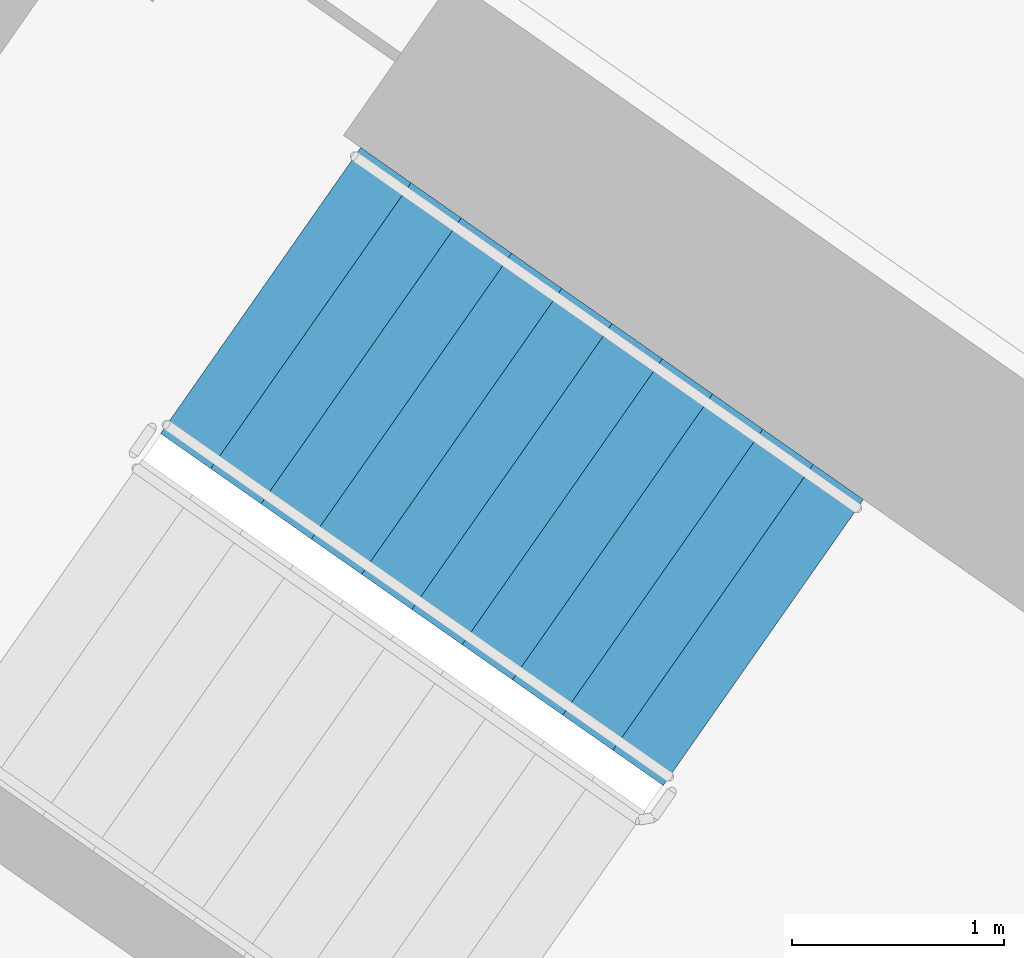
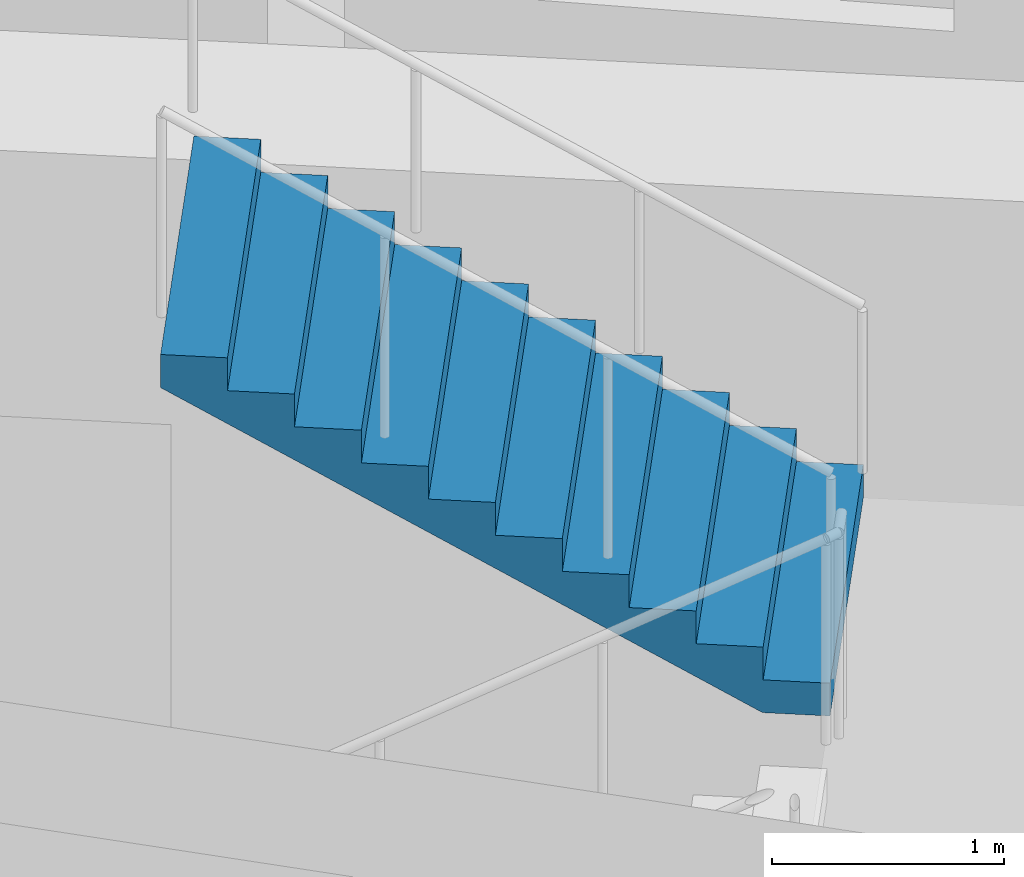
# One storey, part 13 of 31: 1 stair flight, 1 element without a shape of its own.
"""IFC4 building model written with IfcOpenShell, lengths in metres."""

import ifcopenshell
import ifcopenshell.guid

model = None  # the IFC model being written
_history = None  # IfcOwnerHistory: only IFC2X3 demands one
_inside = {}  # id of a spatial element -> (the spatial element, [elements in it])
_under = {}  # id of a project, library or spatial element -> (it, [spatial elements below it])
_declared = {}  # id of a project -> (the project, [libraries it declares])
_typed = {}  # id of a type object -> (the type object, [elements of that type])
_made_of = {}  # id of a material, layer set ... -> (it, [elements and type objects made of it])


def new_model(schema):
    """Start an empty IFC model of exactly this schema.

    Asked for "IFC4X3", IfcOpenShell would pick the latest addendum, in which some entities
    have other attributes; the version numbers below select the first issue.
    IFC2X3 requires an IfcOwnerHistory on every rooted entity: one is made here for all.
    """
    global model, _history
    if schema == "IFC4X3":
        model = ifcopenshell.file(schema_version=(4, 3, 0, 0))
    else:
        model = ifcopenshell.file(schema=schema)
    _inside.clear()
    _under.clear()
    _declared.clear()
    _typed.clear()
    _made_of.clear()
    _history = None
    if model.schema == "IFC2X3":
        org = make("IfcOrganization", Name="unknown")
        user = make(
            "IfcPersonAndOrganization",
            ThePerson=make("IfcPerson", FamilyName="unknown"),
            TheOrganization=org,
        )
        app = make(
            "IfcApplication",
            ApplicationDeveloper=org,
            Version="unknown",
            ApplicationFullName="unknown",
            ApplicationIdentifier="unknown",
        )
        _history = make(
            "IfcOwnerHistory",
            OwningUser=user,
            OwningApplication=app,
            ChangeAction="ADDED",
            CreationDate=0,
        )
    return model


def make(cls, **values):
    """One entity of the class cls with the attributes given. An attribute that is None is left unset."""
    return model.create_entity(
        cls, **{name: value for name, value in values.items() if value is not None}
    )


def rooted(cls, **values):
    """An entity with a GlobalId (a new one), such as an element, a storey or a relation."""
    return make(cls, GlobalId=ifcopenshell.guid.new(), OwnerHistory=_history, **values)


def si_unit(unit_type, name, prefix=None):
    """IfcSIUnit, for example si_unit("LENGTHUNIT", "METRE", prefix="MILLI")."""
    return make("IfcSIUnit", UnitType=unit_type, Prefix=prefix, Name=name)


def assignment(units):
    """IfcUnitAssignment: the units of a project."""
    return None if units is None else make("IfcUnitAssignment", Units=units)


def point(xyz):
    """IfcCartesianPoint."""
    return None if xyz is None else make("IfcCartesianPoint", Coordinates=xyz)


def direction(xyz):
    """IfcDirection."""
    return None if xyz is None else make("IfcDirection", DirectionRatios=xyz)


def frame(location, z_axis=None, x_axis=None):
    """IfcAxis2Placement3D, a coordinate frame: its origin and axes. An axis left out is left unset."""
    return make(
        "IfcAxis2Placement3D",
        Location=point(location),
        Axis=direction(z_axis),
        RefDirection=direction(x_axis),
    )


def origin():
    """The frame at (0, 0, 0) with its axes left unset."""
    return frame((0.0, 0.0, 0.0))


def place(relative_to, where):
    """IfcLocalPlacement: puts the frame where relative to a parent placement (None: the world)."""
    return make(
        "IfcLocalPlacement", PlacementRelTo=relative_to, RelativePlacement=where
    )


def context(
    kind, dimensions, precision=None, world=None, true_north=None, identifier=None
):
    """IfcGeometricRepresentationContext, for example the 3D "Model" context."""
    return make(
        "IfcGeometricRepresentationContext",
        ContextIdentifier=identifier,
        ContextType=kind,
        CoordinateSpaceDimension=dimensions,
        Precision=precision,
        WorldCoordinateSystem=world,
        TrueNorth=true_north,
    )


def subcontext(parent, identifier, kind, view, scale=None):
    """IfcGeometricRepresentationSubContext, for example "Body" below "Model"."""
    return make(
        "IfcGeometricRepresentationSubContext",
        ContextIdentifier=identifier,
        ContextType=kind,
        ParentContext=parent,
        TargetScale=scale,
        TargetView=view,
    )


def project(units=None, contexts=None):
    """IfcProject with its units and contexts."""
    return rooted(
        "IfcProject",
        Name="project",
        RepresentationContexts=contexts,
        UnitsInContext=assignment(units),
    )


def spatial(cls, under=None, at=None, **own):
    """A site, building, storey or space (cls), placed at a placement, below another one or the project."""
    s = rooted(cls, ObjectPlacement=at, **own)
    if under is not None:
        _under.setdefault(under.id(), (under, []))[1].append(s)
    return s


def faces_of(points, faces, orient=None, outer=None):
    """IfcFace entities. A face is a list of loops; a loop is a list of indices into points, from 0.

    orient and outer hold one flag for each loop. By default every Orientation is true, the
    first loop of a face is its IfcFaceOuterBound and the others are IfcFaceBound.
    """
    made = []
    for i, loops in enumerate(faces):
        bounds = []
        for j, loop in enumerate(loops):
            is_outer = j == 0 if outer is None else outer[i][j]
            bounds.append(
                make(
                    "IfcFaceOuterBound" if is_outer else "IfcFaceBound",
                    Bound=make("IfcPolyLoop", Polygon=[points[k] for k in loop]),
                    Orientation=True if orient is None else orient[i][j],
                )
            )
        made.append(make("IfcFace", Bounds=bounds))
    return made


def faceted_brep(points, faces, orient=None, outer=None, voids=None):
    """IfcFacetedBrep: a solid bounded by flat faces; with voids (closed shells), ...WithVoids."""
    shared = [point(p) for p in points]
    hull = make("IfcClosedShell", CfsFaces=faces_of(shared, faces, orient, outer))
    if voids is None:
        return make("IfcFacetedBrep", Outer=hull)
    return make(
        "IfcFacetedBrepWithVoids",
        Outer=hull,
        Voids=[
            make(cls, CfsFaces=faces_of(shared, fs, o, b)) for cls, fs, o, b in voids
        ],
    )


def shape(context_of_items, identifier, shape_type, items):
    """IfcShapeRepresentation: the items that make up one representation, for example the "Body"."""
    return make(
        "IfcShapeRepresentation",
        ContextOfItems=context_of_items,
        RepresentationIdentifier=identifier,
        RepresentationType=shape_type,
        Items=items,
    )


def material(Name=None, Category=None):
    """IfcMaterial."""
    return make("IfcMaterial", Name=Name, Category=Category)


def made_of(thing, what):
    """Note that an element or type object is made of a material, layer set ...; save() writes the relation."""
    if what is not None:
        _made_of.setdefault(what.id(), (what, []))[1].append(thing)
    return thing


def type_object(cls, material=None, **own):
    """A type object (cls), such as IfcWallType, which elements share."""
    return made_of(rooted(cls, **own), material)


def element(
    cls,
    number,
    at=None,
    inside=None,
    cuts=None,
    type_object=None,
    material=None,
    context=None,
    identifier="Body",
    shape_type=None,
    held_by="IfcProductDefinitionShape",
    body=None,
    shapes=None,
    **own,
):
    """One element of the class cls, such as IfcWall. Its Tag is "e" and its number.

    at: its placement. inside: the storey or other place that contains it. cuts: it is an
    opening in that element (IfcRelVoidsElement). A single representation is given by context,
    identifier, shape_type and body (its items); several are given by shapes. held_by: the class
    of the entity that holds the representations. save() writes the other relations.
    """
    e = rooted(cls, Tag="e%d" % number, ObjectPlacement=at, **own)
    if body is not None:
        shapes = [shape(context, identifier, shape_type, body)]
    if shapes is not None:
        e.Representation = make(held_by, Representations=shapes)
    if inside is not None:
        _inside.setdefault(inside.id(), (inside, []))[1].append(e)
    if cuts is not None:
        rooted(
            "IfcRelVoidsElement", RelatingBuildingElement=cuts, RelatedOpeningElement=e
        )
    if type_object is not None:
        _typed.setdefault(type_object.id(), (type_object, []))[1].append(e)
    return made_of(e, material)


def aggregate(whole, parts):
    """IfcRelAggregates: a whole, such as a stair, and the parts it consists of."""
    return rooted("IfcRelAggregates", RelatingObject=whole, RelatedObjects=parts)


def save(model, path):
    """Write the relations noted so far, then the file.

    IfcRelAggregates (storeys below a building ...), IfcRelContainedInSpatialStructure (elements
    in a storey), IfcRelDefinesByType, IfcRelAssociatesMaterial and IfcRelDeclares: one each for
    every whole, place, type object, material and project.
    """
    for whole, parts in _under.values():
        aggregate(whole, parts)
    for where, things in _inside.values():
        rooted(
            "IfcRelContainedInSpatialStructure",
            RelatedElements=things,
            RelatingStructure=where,
        )
    for kind, things in _typed.values():
        rooted("IfcRelDefinesByType", RelatedObjects=things, RelatingType=kind)
    for what, things in _made_of.values():
        rooted("IfcRelAssociatesMaterial", RelatedObjects=things, RelatingMaterial=what)
    for by, libraries in _declared.values():
        rooted("IfcRelDeclares", RelatingContext=by, RelatedDefinitions=libraries)
    model.write(path)


model = new_model("IFC4")

# Units and contexts
model_context = context("Model", 3, precision=1e-05, world=origin(), true_north=direction((0.0, 1.0)))
body_context = subcontext(model_context, "Body", "Model", "MODEL_VIEW")
ifc_project = project(units=[si_unit("LENGTHUNIT", "METRE"), si_unit("AREAUNIT", "SQUARE_METRE"), si_unit("VOLUMEUNIT", "CUBIC_METRE"), si_unit("PLANEANGLEUNIT", "RADIAN"), si_unit("MASSUNIT", "GRAM", prefix="KILO")], contexts=[model_context])

# Site, building, storey
site_placement = place(None, origin())
site = spatial("IfcSite", under=ifc_project, at=site_placement, CompositionType="ELEMENT")
building_placement = place(site_placement, origin())
building = spatial("IfcBuilding", under=site, at=building_placement, Name="Qamariyya Broadcast Tower", CompositionType="ELEMENT")
storey_placement = place(building_placement, frame((0.0, 0.0, 82.300048828125)))
storey = spatial("IfcBuildingStorey", under=building, at=storey_placement, Name="L17", CompositionType="ELEMENT", Elevation=82.300048828125)

# Stair, stair flight
ifc_material = material(Name="Concrete C50/60", Category="concrete")
stair_type = type_object("IfcStairType", Name="Exit stair 22 risers of 173 mm", PredefinedType="HALF_TURN_STAIR", material=ifc_material)
stair_placement = place(storey_placement, origin())
stair = element("IfcStair", 1, at=stair_placement, inside=storey, type_object=stair_type, Name="L17 Stair W2", PredefinedType="HALF_TURN_STAIR")
stair_flight_type = type_object("IfcStairFlightType", Name="Exit stair flight 11 risers of 173 mm", PredefinedType="STRAIGHT", material=ifc_material)
stair_flight_placement = place(storey_placement, frame((-38.18310546875, -49.3486328125, 1.89990234375), z_axis=(0.0, 0.0, 1.0), x_axis=(-0.819152044289, 0.573576436351, 0.0)))
stair_flight = element("IfcStairFlight", 2, at=stair_flight_placement, type_object=stair_flight_type, Name="ST-W2 flight 2", NumberOfRisers=11, NumberOfTreads=10, PredefinedType="STRAIGHT", RiserHeight=0.172727273, TreadLength=0.29, context=body_context, shape_type="Brep", body=[
    faceted_brep([(0.0, 0.824951171875, 0.0), (0.0, 0.824951171875, 0.172607421875), (0.2900390625, 0.824951171875, 0.172607421875), (0.2900390625, 0.824951171875, 0.345458984375), (0.580078125, 0.824951171875, 0.345458984375), (0.580078125, 0.824951171875, 0.51806640625), (0.8701171875, 0.824951171875, 0.51806640625), (0.8701171875, 0.824951171875, 0.69091796875), (1.159912109375, 0.824951171875, 0.69091796875), (1.159912109375, 0.824951171875, 0.863525390625), (1.449951171875, 0.824951171875, 0.863525390625), (1.449951171875, 0.824951171875, 1.036376953125), (1.739990234375, 0.824951171875, 1.036376953125), (1.739990234375, 0.824951171875, 1.208984375), (2.030029296875, 0.824951171875, 1.208984375), (2.030029296875, 0.824951171875, 1.3818359375), (2.320068359375, 0.824951171875, 1.3818359375), (2.320068359375, 0.824951171875, 1.554443359375), (2.610107421875, 0.824951171875, 1.554443359375), (2.610107421875, 0.824951171875, 1.727294921875), (2.89990234375, 0.824951171875, 1.727294921875), (2.89990234375, 0.824951171875, 1.552734375), (0.29296875, 0.824951171875, 0.0), (0.29296875, -0.824951171875, 0.0), (2.89990234375, -0.824951171875, 1.552734375), (2.89990234375, -0.824951171875, 1.727294921875), (2.610107421875, -0.824951171875, 1.727294921875), (2.610107421875, -0.824951171875, 1.554443359375), (2.320068359375, -0.824951171875, 1.554443359375), (2.320068359375, -0.824951171875, 1.3818359375), (2.030029296875, -0.824951171875, 1.3818359375), (2.030029296875, -0.824951171875, 1.208984375), (1.739990234375, -0.824951171875, 1.208984375), (1.739990234375, -0.824951171875, 1.036376953125), (1.449951171875, -0.824951171875, 1.036376953125), (1.449951171875, -0.824951171875, 0.863525390625), (1.159912109375, -0.824951171875, 0.863525390625), (1.159912109375, -0.824951171875, 0.69091796875), (0.8701171875, -0.824951171875, 0.69091796875), (0.8701171875, -0.824951171875, 0.51806640625), (0.580078125, -0.824951171875, 0.51806640625), (0.580078125, -0.824951171875, 0.345458984375), (0.2900390625, -0.824951171875, 0.345458984375), (0.2900390625, -0.824951171875, 0.172607421875), (0.0, -0.824951171875, 0.172607421875), (0.0, -0.824951171875, 0.0), (0.0, 0.10009765625, 0.0), (0.0, 0.086669921875, 0.0), (0.0, 0.0732421875, 0.0), (0.0, 0.06005859375, 0.0), (0.0, 0.046630859375, 0.0), (0.0, 0.033447265625, 0.0), (0.0, 0.02001953125, 0.0), (0.0, 0.006591796875, 0.0), (0.0, -0.006591796875, 0.0), (0.0, -0.02001953125, 0.0), (0.0, -0.033447265625, 0.0), (0.0, -0.046630859375, 0.0), (0.0, -0.06005859375, 0.0), (0.0, -0.0732421875, 0.0), (0.0, -0.086669921875, 0.0), (0.0, -0.10009765625, 0.0), (0.0, -0.10009765625, 0.172607421875), (0.0, -0.086669921875, 0.172607421875), (0.0, -0.0732421875, 0.172607421875), (0.0, -0.06005859375, 0.172607421875), (0.0, -0.046630859375, 0.172607421875), (0.0, -0.033447265625, 0.172607421875), (0.0, -0.02001953125, 0.172607421875), (0.0, -0.006591796875, 0.172607421875), (0.0, 0.006591796875, 0.172607421875), (0.0, 0.02001953125, 0.172607421875), (0.0, 0.033447265625, 0.172607421875), (0.0, 0.046630859375, 0.172607421875), (0.0, 0.06005859375, 0.172607421875), (0.0, 0.0732421875, 0.172607421875), (0.0, 0.086669921875, 0.172607421875), (0.0, 0.10009765625, 0.172607421875), (0.2900390625, -0.10009765625, 0.172607421875), (0.2900390625, -0.086669921875, 0.172607421875), (0.2900390625, -0.0732421875, 0.172607421875), (0.2900390625, -0.06005859375, 0.172607421875), (0.2900390625, -0.046630859375, 0.172607421875), (0.2900390625, -0.033447265625, 0.172607421875), (0.2900390625, -0.02001953125, 0.172607421875), (0.2900390625, -0.006591796875, 0.172607421875), (0.2900390625, 0.006591796875, 0.172607421875), (0.2900390625, 0.02001953125, 0.172607421875), (0.2900390625, 0.033447265625, 0.172607421875), (0.2900390625, 0.046630859375, 0.172607421875), (0.2900390625, 0.06005859375, 0.172607421875), (0.2900390625, 0.0732421875, 0.172607421875), (0.2900390625, 0.086669921875, 0.172607421875), (0.2900390625, 0.10009765625, 0.172607421875), (0.2900390625, -0.10009765625, 0.345458984375), (0.2900390625, -0.086669921875, 0.345458984375), (0.2900390625, -0.0732421875, 0.345458984375), (0.2900390625, -0.06005859375, 0.345458984375), (0.2900390625, -0.046630859375, 0.345458984375), (0.2900390625, -0.033447265625, 0.345458984375), (0.2900390625, -0.02001953125, 0.345458984375), (0.2900390625, -0.006591796875, 0.345458984375), (0.2900390625, 0.006591796875, 0.345458984375), (0.2900390625, 0.02001953125, 0.345458984375), (0.2900390625, 0.033447265625, 0.345458984375), (0.2900390625, 0.046630859375, 0.345458984375), (0.2900390625, 0.06005859375, 0.345458984375), (0.2900390625, 0.0732421875, 0.345458984375), (0.2900390625, 0.086669921875, 0.345458984375), (0.2900390625, 0.10009765625, 0.345458984375), (0.580078125, -0.10009765625, 0.345458984375), (0.580078125, -0.086669921875, 0.345458984375), (0.580078125, -0.0732421875, 0.345458984375), (0.580078125, -0.06005859375, 0.345458984375), (0.580078125, -0.046630859375, 0.345458984375), (0.580078125, -0.033447265625, 0.345458984375), (0.580078125, -0.02001953125, 0.345458984375), (0.580078125, -0.006591796875, 0.345458984375), (0.580078125, 0.006591796875, 0.345458984375), (0.580078125, 0.02001953125, 0.345458984375), (0.580078125, 0.033447265625, 0.345458984375), (0.580078125, 0.046630859375, 0.345458984375), (0.580078125, 0.06005859375, 0.345458984375), (0.580078125, 0.0732421875, 0.345458984375), (0.580078125, 0.086669921875, 0.345458984375), (0.580078125, 0.10009765625, 0.345458984375), (0.580078125, -0.10009765625, 0.51806640625), (0.580078125, -0.086669921875, 0.51806640625), (0.580078125, -0.0732421875, 0.51806640625), (0.580078125, -0.06005859375, 0.51806640625), (0.580078125, -0.046630859375, 0.51806640625), (0.580078125, -0.033447265625, 0.51806640625), (0.580078125, -0.02001953125, 0.51806640625), (0.580078125, -0.006591796875, 0.51806640625), (0.580078125, 0.006591796875, 0.51806640625), (0.580078125, 0.02001953125, 0.51806640625), (0.580078125, 0.033447265625, 0.51806640625), (0.580078125, 0.046630859375, 0.51806640625), (0.580078125, 0.06005859375, 0.51806640625), (0.580078125, 0.0732421875, 0.51806640625), (0.580078125, 0.086669921875, 0.51806640625), (0.580078125, 0.10009765625, 0.51806640625), (0.8701171875, -0.10009765625, 0.51806640625), (0.8701171875, -0.086669921875, 0.51806640625), (0.8701171875, -0.0732421875, 0.51806640625), (0.8701171875, -0.06005859375, 0.51806640625), (0.8701171875, -0.046630859375, 0.51806640625), (0.8701171875, -0.033447265625, 0.51806640625), (0.8701171875, -0.02001953125, 0.51806640625), (0.8701171875, -0.006591796875, 0.51806640625), (0.8701171875, 0.006591796875, 0.51806640625), (0.8701171875, 0.02001953125, 0.51806640625), (0.8701171875, 0.033447265625, 0.51806640625), (0.8701171875, 0.046630859375, 0.51806640625), (0.8701171875, 0.06005859375, 0.51806640625), (0.8701171875, 0.0732421875, 0.51806640625), (0.8701171875, 0.086669921875, 0.51806640625), (0.8701171875, 0.10009765625, 0.51806640625), (0.8701171875, -0.10009765625, 0.69091796875), (0.8701171875, -0.086669921875, 0.69091796875), (0.8701171875, -0.0732421875, 0.69091796875), (0.8701171875, -0.06005859375, 0.69091796875), (0.8701171875, -0.046630859375, 0.69091796875), (0.8701171875, -0.033447265625, 0.69091796875), (0.8701171875, -0.02001953125, 0.69091796875), (0.8701171875, -0.006591796875, 0.69091796875), (0.8701171875, 0.006591796875, 0.69091796875), (0.8701171875, 0.02001953125, 0.69091796875), (0.8701171875, 0.033447265625, 0.69091796875), (0.8701171875, 0.046630859375, 0.69091796875), (0.8701171875, 0.06005859375, 0.69091796875), (0.8701171875, 0.0732421875, 0.69091796875), (0.8701171875, 0.086669921875, 0.69091796875), (0.8701171875, 0.10009765625, 0.69091796875), (1.159912109375, -0.10009765625, 0.69091796875), (1.159912109375, -0.086669921875, 0.69091796875), (1.159912109375, -0.0732421875, 0.69091796875), (1.159912109375, -0.06005859375, 0.69091796875), (1.159912109375, -0.046630859375, 0.69091796875), (1.159912109375, -0.033447265625, 0.69091796875), (1.159912109375, -0.02001953125, 0.69091796875), (1.159912109375, -0.006591796875, 0.69091796875), (1.159912109375, 0.006591796875, 0.69091796875), (1.159912109375, 0.02001953125, 0.69091796875), (1.159912109375, 0.033447265625, 0.69091796875), (1.159912109375, 0.046630859375, 0.69091796875), (1.159912109375, 0.06005859375, 0.69091796875), (1.159912109375, 0.0732421875, 0.69091796875), (1.159912109375, 0.086669921875, 0.69091796875), (1.159912109375, 0.10009765625, 0.69091796875), (1.159912109375, -0.10009765625, 0.863525390625), (1.159912109375, -0.086669921875, 0.863525390625), (1.159912109375, -0.0732421875, 0.863525390625), (1.159912109375, -0.06005859375, 0.863525390625), (1.159912109375, -0.046630859375, 0.863525390625), (1.159912109375, -0.033447265625, 0.863525390625), (1.159912109375, -0.02001953125, 0.863525390625), (1.159912109375, -0.006591796875, 0.863525390625), (1.159912109375, 0.006591796875, 0.863525390625), (1.159912109375, 0.02001953125, 0.863525390625), (1.159912109375, 0.033447265625, 0.863525390625), (1.159912109375, 0.046630859375, 0.863525390625), (1.159912109375, 0.06005859375, 0.863525390625), (1.159912109375, 0.0732421875, 0.863525390625), (1.159912109375, 0.086669921875, 0.863525390625), (1.159912109375, 0.10009765625, 0.863525390625), (1.449951171875, -0.10009765625, 0.863525390625), (1.449951171875, -0.086669921875, 0.863525390625), (1.449951171875, -0.0732421875, 0.863525390625), (1.449951171875, -0.06005859375, 0.863525390625), (1.449951171875, -0.046630859375, 0.863525390625), (1.449951171875, -0.033447265625, 0.863525390625), (1.449951171875, -0.02001953125, 0.863525390625), (1.449951171875, -0.006591796875, 0.863525390625), (1.449951171875, 0.006591796875, 0.863525390625), (1.449951171875, 0.02001953125, 0.863525390625), (1.449951171875, 0.033447265625, 0.863525390625), (1.449951171875, 0.046630859375, 0.863525390625), (1.449951171875, 0.06005859375, 0.863525390625), (1.449951171875, 0.0732421875, 0.863525390625), (1.449951171875, 0.086669921875, 0.863525390625), (1.449951171875, 0.10009765625, 0.863525390625), (1.449951171875, -0.10009765625, 1.036376953125), (1.449951171875, -0.086669921875, 1.036376953125), (1.449951171875, -0.0732421875, 1.036376953125), (1.449951171875, -0.06005859375, 1.036376953125), (1.449951171875, -0.046630859375, 1.036376953125), (1.449951171875, -0.033447265625, 1.036376953125), (1.449951171875, -0.02001953125, 1.036376953125), (1.449951171875, -0.006591796875, 1.036376953125), (1.449951171875, 0.006591796875, 1.036376953125), (1.449951171875, 0.02001953125, 1.036376953125), (1.449951171875, 0.033447265625, 1.036376953125), (1.449951171875, 0.046630859375, 1.036376953125), (1.449951171875, 0.06005859375, 1.036376953125), (1.449951171875, 0.0732421875, 1.036376953125), (1.449951171875, 0.086669921875, 1.036376953125), (1.449951171875, 0.10009765625, 1.036376953125), (1.739990234375, -0.10009765625, 1.036376953125), (1.739990234375, -0.086669921875, 1.036376953125), (1.739990234375, -0.0732421875, 1.036376953125), (1.739990234375, -0.06005859375, 1.036376953125), (1.739990234375, -0.046630859375, 1.036376953125), (1.739990234375, -0.033447265625, 1.036376953125), (1.739990234375, -0.02001953125, 1.036376953125), (1.739990234375, -0.006591796875, 1.036376953125), (1.739990234375, 0.006591796875, 1.036376953125), (1.739990234375, 0.02001953125, 1.036376953125), (1.739990234375, 0.033447265625, 1.036376953125), (1.739990234375, 0.046630859375, 1.036376953125), (1.739990234375, 0.06005859375, 1.036376953125), (1.739990234375, 0.0732421875, 1.036376953125), (1.739990234375, 0.086669921875, 1.036376953125), (1.739990234375, 0.10009765625, 1.036376953125), (1.739990234375, -0.10009765625, 1.208984375), (1.739990234375, -0.086669921875, 1.208984375), (1.739990234375, -0.0732421875, 1.208984375), (1.739990234375, -0.06005859375, 1.208984375), (1.739990234375, -0.046630859375, 1.208984375), (1.739990234375, -0.033447265625, 1.208984375), (1.739990234375, -0.02001953125, 1.208984375), (1.739990234375, -0.006591796875, 1.208984375), (1.739990234375, 0.006591796875, 1.208984375), (1.739990234375, 0.02001953125, 1.208984375), (1.739990234375, 0.033447265625, 1.208984375), (1.739990234375, 0.046630859375, 1.208984375), (1.739990234375, 0.06005859375, 1.208984375), (1.739990234375, 0.0732421875, 1.208984375), (1.739990234375, 0.086669921875, 1.208984375), (1.739990234375, 0.10009765625, 1.208984375), (2.030029296875, -0.10009765625, 1.208984375), (2.030029296875, -0.086669921875, 1.208984375), (2.030029296875, -0.0732421875, 1.208984375), (2.030029296875, -0.06005859375, 1.208984375), (2.030029296875, -0.046630859375, 1.208984375), (2.030029296875, -0.033447265625, 1.208984375), (2.030029296875, -0.02001953125, 1.208984375), (2.030029296875, -0.006591796875, 1.208984375), (2.030029296875, 0.006591796875, 1.208984375), (2.030029296875, 0.02001953125, 1.208984375), (2.030029296875, 0.033447265625, 1.208984375), (2.030029296875, 0.046630859375, 1.208984375), (2.030029296875, 0.06005859375, 1.208984375), (2.030029296875, 0.0732421875, 1.208984375), (2.030029296875, 0.086669921875, 1.208984375), (2.030029296875, 0.10009765625, 1.208984375), (2.030029296875, -0.10009765625, 1.3818359375), (2.030029296875, -0.086669921875, 1.3818359375), (2.030029296875, -0.0732421875, 1.3818359375), (2.030029296875, -0.06005859375, 1.3818359375), (2.030029296875, -0.046630859375, 1.3818359375), (2.030029296875, -0.033447265625, 1.3818359375), (2.030029296875, -0.02001953125, 1.3818359375), (2.030029296875, -0.006591796875, 1.3818359375), (2.030029296875, 0.006591796875, 1.3818359375), (2.030029296875, 0.02001953125, 1.3818359375), (2.030029296875, 0.033447265625, 1.3818359375), (2.030029296875, 0.046630859375, 1.3818359375), (2.030029296875, 0.06005859375, 1.3818359375), (2.030029296875, 0.0732421875, 1.3818359375), (2.030029296875, 0.086669921875, 1.3818359375), (2.030029296875, 0.10009765625, 1.3818359375), (2.320068359375, -0.10009765625, 1.3818359375), (2.320068359375, -0.086669921875, 1.3818359375), (2.320068359375, -0.0732421875, 1.3818359375), (2.320068359375, -0.06005859375, 1.3818359375), (2.320068359375, -0.046630859375, 1.3818359375), (2.320068359375, -0.033447265625, 1.3818359375), (2.320068359375, -0.02001953125, 1.3818359375), (2.320068359375, -0.006591796875, 1.3818359375), (2.320068359375, 0.006591796875, 1.3818359375), (2.320068359375, 0.02001953125, 1.3818359375), (2.320068359375, 0.033447265625, 1.3818359375), (2.320068359375, 0.046630859375, 1.3818359375), (2.320068359375, 0.06005859375, 1.3818359375), (2.320068359375, 0.0732421875, 1.3818359375), (2.320068359375, 0.086669921875, 1.3818359375), (2.320068359375, 0.10009765625, 1.3818359375), (2.320068359375, -0.10009765625, 1.554443359375), (2.320068359375, -0.086669921875, 1.554443359375), (2.320068359375, -0.0732421875, 1.554443359375), (2.320068359375, -0.06005859375, 1.554443359375), (2.320068359375, -0.046630859375, 1.554443359375), (2.320068359375, -0.033447265625, 1.554443359375), (2.320068359375, -0.02001953125, 1.554443359375), (2.320068359375, -0.006591796875, 1.554443359375), (2.320068359375, 0.006591796875, 1.554443359375), (2.320068359375, 0.02001953125, 1.554443359375), (2.320068359375, 0.033447265625, 1.554443359375), (2.320068359375, 0.046630859375, 1.554443359375), (2.320068359375, 0.06005859375, 1.554443359375), (2.320068359375, 0.0732421875, 1.554443359375), (2.320068359375, 0.086669921875, 1.554443359375), (2.320068359375, 0.10009765625, 1.554443359375), (2.610107421875, -0.10009765625, 1.554443359375), (2.610107421875, -0.086669921875, 1.554443359375), (2.610107421875, -0.0732421875, 1.554443359375), (2.610107421875, -0.06005859375, 1.554443359375), (2.610107421875, -0.046630859375, 1.554443359375), (2.610107421875, -0.033447265625, 1.554443359375), (2.610107421875, -0.02001953125, 1.554443359375), (2.610107421875, -0.006591796875, 1.554443359375), (2.610107421875, 0.006591796875, 1.554443359375), (2.610107421875, 0.02001953125, 1.554443359375), (2.610107421875, 0.033447265625, 1.554443359375), (2.610107421875, 0.046630859375, 1.554443359375), (2.610107421875, 0.06005859375, 1.554443359375), (2.610107421875, 0.0732421875, 1.554443359375), (2.610107421875, 0.086669921875, 1.554443359375), (2.610107421875, 0.10009765625, 1.554443359375), (2.610107421875, -0.10009765625, 1.727294921875), (2.610107421875, -0.086669921875, 1.727294921875), (2.610107421875, -0.0732421875, 1.727294921875), (2.610107421875, -0.06005859375, 1.727294921875), (2.610107421875, -0.046630859375, 1.727294921875), (2.610107421875, -0.033447265625, 1.727294921875), (2.610107421875, -0.02001953125, 1.727294921875), (2.610107421875, -0.006591796875, 1.727294921875), (2.610107421875, 0.006591796875, 1.727294921875), (2.610107421875, 0.02001953125, 1.727294921875), (2.610107421875, 0.033447265625, 1.727294921875), (2.610107421875, 0.046630859375, 1.727294921875), (2.610107421875, 0.06005859375, 1.727294921875), (2.610107421875, 0.0732421875, 1.727294921875), (2.610107421875, 0.086669921875, 1.727294921875), (2.610107421875, 0.10009765625, 1.727294921875), (2.89990234375, -0.10009765625, 1.727294921875), (2.89990234375, -0.086669921875, 1.727294921875), (2.89990234375, -0.0732421875, 1.727294921875), (2.89990234375, -0.06005859375, 1.727294921875), (2.89990234375, -0.046630859375, 1.727294921875), (2.89990234375, -0.033447265625, 1.727294921875), (2.89990234375, -0.02001953125, 1.727294921875), (2.89990234375, -0.006591796875, 1.727294921875), (2.89990234375, 0.006591796875, 1.727294921875), (2.89990234375, 0.02001953125, 1.727294921875), (2.89990234375, 0.033447265625, 1.727294921875), (2.89990234375, 0.046630859375, 1.727294921875), (2.89990234375, 0.06005859375, 1.727294921875), (2.89990234375, 0.0732421875, 1.727294921875), (2.89990234375, 0.086669921875, 1.727294921875), (2.89990234375, 0.10009765625, 1.727294921875), (2.89990234375, -0.10009765625, 1.552734375), (2.89990234375, -0.086669921875, 1.552734375), (2.89990234375, -0.0732421875, 1.552734375), (2.89990234375, -0.06005859375, 1.552734375), (2.89990234375, -0.046630859375, 1.552734375), (2.89990234375, -0.033447265625, 1.552734375), (2.89990234375, -0.02001953125, 1.552734375), (2.89990234375, -0.006591796875, 1.552734375), (2.89990234375, 0.006591796875, 1.552734375), (2.89990234375, 0.02001953125, 1.552734375), (2.89990234375, 0.033447265625, 1.552734375), (2.89990234375, 0.046630859375, 1.552734375), (2.89990234375, 0.06005859375, 1.552734375), (2.89990234375, 0.0732421875, 1.552734375), (2.89990234375, 0.086669921875, 1.552734375), (2.89990234375, 0.10009765625, 1.552734375), (0.29296875, -0.10009765625, 0.0), (0.29296875, -0.086669921875, 0.0), (0.29296875, -0.0732421875, 0.0), (0.29296875, -0.06005859375, 0.0), (0.29296875, -0.046630859375, 0.0), (0.29296875, -0.033447265625, 0.0), (0.29296875, -0.02001953125, 0.0), (0.29296875, -0.006591796875, 0.0), (0.29296875, 0.006591796875, 0.0), (0.29296875, 0.02001953125, 0.0), (0.29296875, 0.033447265625, 0.0), (0.29296875, 0.046630859375, 0.0), (0.29296875, 0.06005859375, 0.0), (0.29296875, 0.0732421875, 0.0), (0.29296875, 0.086669921875, 0.0), (0.29296875, 0.10009765625, 0.0)], [[[0, 1, 2, 3, 4, 5, 6, 7, 8, 9, 10, 11, 12, 13, 14, 15, 16, 17, 18, 19, 20, 21, 22]], [[23, 24, 25, 26, 27, 28, 29, 30, 31, 32, 33, 34, 35, 36, 37, 38, 39, 40, 41, 42, 43, 44, 45]], [[0, 46, 47, 48, 49, 50, 51, 52, 53, 54, 55, 56, 57, 58, 59, 60, 61, 45, 44, 62, 63, 64, 65, 66, 67, 68, 69, 70, 71, 72, 73, 74, 75, 76, 77, 1]], [[1, 77, 76, 75, 74, 73, 72, 71, 70, 69, 68, 67, 66, 65, 64, 63, 62, 44, 43, 78, 79, 80, 81, 82, 83, 84, 85, 86, 87, 88, 89, 90, 91, 92, 93, 2]], [[2, 93, 92, 91, 90, 89, 88, 87, 86, 85, 84, 83, 82, 81, 80, 79, 78, 43, 42, 94, 95, 96, 97, 98, 99, 100, 101, 102, 103, 104, 105, 106, 107, 108, 109, 3]], [[3, 109, 108, 107, 106, 105, 104, 103, 102, 101, 100, 99, 98, 97, 96, 95, 94, 42, 41, 110, 111, 112, 113, 114, 115, 116, 117, 118, 119, 120, 121, 122, 123, 124, 125, 4]], [[4, 125, 124, 123, 122, 121, 120, 119, 118, 117, 116, 115, 114, 113, 112, 111, 110, 41, 40, 126, 127, 128, 129, 130, 131, 132, 133, 134, 135, 136, 137, 138, 139, 140, 141, 5]], [[5, 141, 140, 139, 138, 137, 136, 135, 134, 133, 132, 131, 130, 129, 128, 127, 126, 40, 39, 142, 143, 144, 145, 146, 147, 148, 149, 150, 151, 152, 153, 154, 155, 156, 157, 6]], [[6, 157, 156, 155, 154, 153, 152, 151, 150, 149, 148, 147, 146, 145, 144, 143, 142, 39, 38, 158, 159, 160, 161, 162, 163, 164, 165, 166, 167, 168, 169, 170, 171, 172, 173, 7]], [[7, 173, 172, 171, 170, 169, 168, 167, 166, 165, 164, 163, 162, 161, 160, 159, 158, 38, 37, 174, 175, 176, 177, 178, 179, 180, 181, 182, 183, 184, 185, 186, 187, 188, 189, 8]], [[8, 189, 188, 187, 186, 185, 184, 183, 182, 181, 180, 179, 178, 177, 176, 175, 174, 37, 36, 190, 191, 192, 193, 194, 195, 196, 197, 198, 199, 200, 201, 202, 203, 204, 205, 9]], [[9, 205, 204, 203, 202, 201, 200, 199, 198, 197, 196, 195, 194, 193, 192, 191, 190, 36, 35, 206, 207, 208, 209, 210, 211, 212, 213, 214, 215, 216, 217, 218, 219, 220, 221, 10]], [[10, 221, 220, 219, 218, 217, 216, 215, 214, 213, 212, 211, 210, 209, 208, 207, 206, 35, 34, 222, 223, 224, 225, 226, 227, 228, 229, 230, 231, 232, 233, 234, 235, 236, 237, 11]], [[11, 237, 236, 235, 234, 233, 232, 231, 230, 229, 228, 227, 226, 225, 224, 223, 222, 34, 33, 238, 239, 240, 241, 242, 243, 244, 245, 246, 247, 248, 249, 250, 251, 252, 253, 12]], [[12, 253, 252, 251, 250, 249, 248, 247, 246, 245, 244, 243, 242, 241, 240, 239, 238, 33, 32, 254, 255, 256, 257, 258, 259, 260, 261, 262, 263, 264, 265, 266, 267, 268, 269, 13]], [[13, 269, 268, 267, 266, 265, 264, 263, 262, 261, 260, 259, 258, 257, 256, 255, 254, 32, 31, 270, 271, 272, 273, 274, 275, 276, 277, 278, 279, 280, 281, 282, 283, 284, 285, 14]], [[14, 285, 284, 283, 282, 281, 280, 279, 278, 277, 276, 275, 274, 273, 272, 271, 270, 31, 30, 286, 287, 288, 289, 290, 291, 292, 293, 294, 295, 296, 297, 298, 299, 300, 301, 15]], [[15, 301, 300, 299, 298, 297, 296, 295, 294, 293, 292, 291, 290, 289, 288, 287, 286, 30, 29, 302, 303, 304, 305, 306, 307, 308, 309, 310, 311, 312, 313, 314, 315, 316, 317, 16]], [[16, 317, 316, 315, 314, 313, 312, 311, 310, 309, 308, 307, 306, 305, 304, 303, 302, 29, 28, 318, 319, 320, 321, 322, 323, 324, 325, 326, 327, 328, 329, 330, 331, 332, 333, 17]], [[17, 333, 332, 331, 330, 329, 328, 327, 326, 325, 324, 323, 322, 321, 320, 319, 318, 28, 27, 334, 335, 336, 337, 338, 339, 340, 341, 342, 343, 344, 345, 346, 347, 348, 349, 18]], [[18, 349, 348, 347, 346, 345, 344, 343, 342, 341, 340, 339, 338, 337, 336, 335, 334, 27, 26, 350, 351, 352, 353, 354, 355, 356, 357, 358, 359, 360, 361, 362, 363, 364, 365, 19]], [[19, 365, 364, 363, 362, 361, 360, 359, 358, 357, 356, 355, 354, 353, 352, 351, 350, 26, 25, 366, 367, 368, 369, 370, 371, 372, 373, 374, 375, 376, 377, 378, 379, 380, 381, 20]], [[20, 381, 380, 379, 378, 377, 376, 375, 374, 373, 372, 371, 370, 369, 368, 367, 366, 25, 24, 382, 383, 384, 385, 386, 387, 388, 389, 390, 391, 392, 393, 394, 395, 396, 397, 21]], [[21, 397, 396, 395, 394, 393, 392, 391, 390, 389, 388, 387, 386, 385, 384, 383, 382, 24, 23, 398, 399, 400, 401, 402, 403, 404, 405, 406, 407, 408, 409, 410, 411, 412, 413, 22]], [[22, 413, 412, 411, 410, 409, 408, 407, 406, 405, 404, 403, 402, 401, 400, 399, 398, 23, 45, 61, 60, 59, 58, 57, 56, 55, 54, 53, 52, 51, 50, 49, 48, 47, 46, 0]]]),
])
aggregate(stair, [stair_flight])

save(model, "model.ifc")
